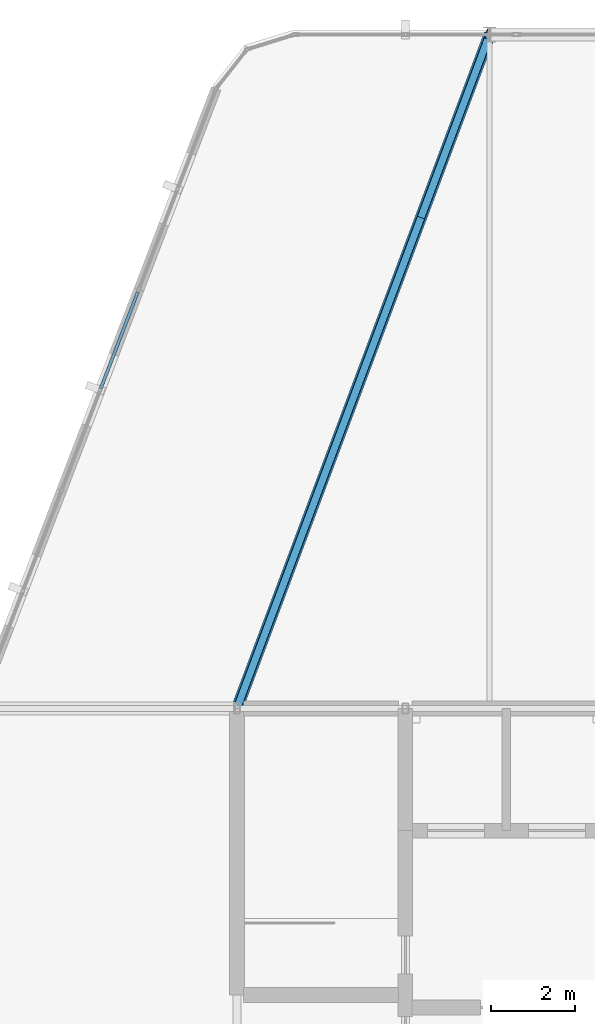
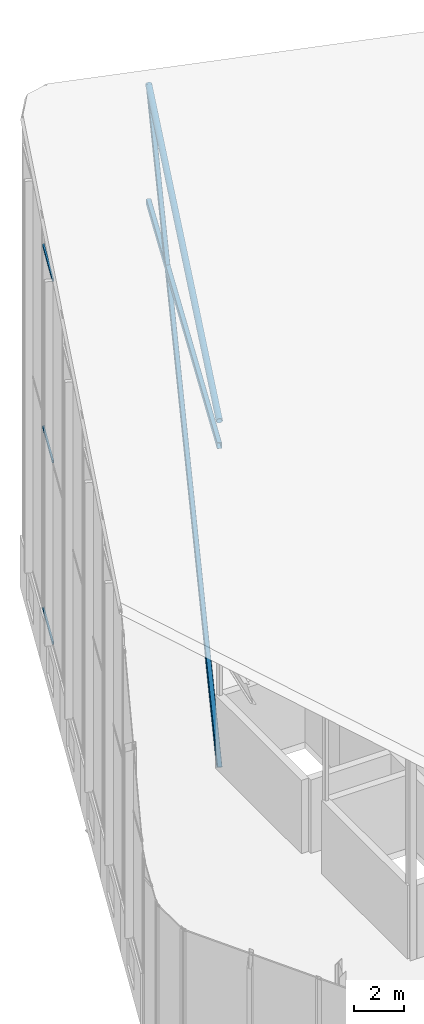
# One storey, part 30 of 74: 6 members, 1 element without a shape of its own.
"""IFC4 building model written with IfcOpenShell, lengths in metres."""

from ifc_helpers import new_model, si_unit, direction, frame, origin, origin_2d, place, context, subcontext, project, spatial, hollow_rectangle, hollow_circle, extrude, material, layer, layer_set, material_profile, profile_set, type_object, element, aggregate, save


model = new_model("IFC4")

# Units and contexts
model_context = context("Model", 3, precision=1e-05, world=origin(), true_north=direction((0.0, 1.0)))
body_context = subcontext(model_context, "Body", "Model", "MODEL_VIEW")
ifc_project = project(units=[si_unit("LENGTHUNIT", "METRE"), si_unit("AREAUNIT", "SQUARE_METRE"), si_unit("VOLUMEUNIT", "CUBIC_METRE"), si_unit("PLANEANGLEUNIT", "RADIAN"), si_unit("MASSUNIT", "GRAM", prefix="KILO")], contexts=[model_context])

# Site, building, storey
site_placement = place(None, origin())
site = spatial("IfcSite", under=ifc_project, at=site_placement, CompositionType="ELEMENT")
building_placement = place(site_placement, origin())
building = spatial("IfcBuilding", under=site, at=building_placement, Name="Keshet Zoharim Tower", CompositionType="ELEMENT")
storey_placement = place(building_placement, frame((0.0, 0.0, 320.0)))
storey = spatial("IfcBuildingStorey", under=building, at=storey_placement, Name="RF", CompositionType="ELEMENT", Elevation=320.0)

# Curtain wall, members
ifc_material_1 = material(Name="Aluminium 6063-T6", Category="aluminium")
ifc_layer = layer(ifc_material_1, 0.260009765625)
ifc_layer_set = layer_set([ifc_layer], Name="Aluminium 6063-T6")
curtain_wall_type = type_object("IfcCurtainWallType", Name="CW-SYS-06", PredefinedType="NOTDEFINED", material=ifc_layer_set)
curtain_wall_placement = place(storey_placement, origin())
curtain_wall = element("IfcCurtainWall", 1, at=curtain_wall_placement, inside=storey, type_object=curtain_wall_type, Name="Slanted Crown Curtain Wall 07", PredefinedType="NOTDEFINED")
ifc_material_profile_1 = material_profile(ifc_material_1, hollow_rectangle(XDim=0.074951171875, YDim=0.1201171875, WallThickness=0.00390625, at=origin_2d()), Name="TRN-75x120")
ifc_profile_set_1 = profile_set([ifc_material_profile_1], Name="Aluminium 6063-T6")
member_type_1 = type_object("IfcMemberType", Name="CWT-T12", PredefinedType="USERDEFINED", material=ifc_profile_set_1)
member_1_placement = place(storey_placement, frame((11.76611328125, 45.491943359375, 2.532470703125), z_axis=(0.359012353671, 0.933332807691, 0.0), x_axis=(-0.933332807691, 0.359012353671, 0.0)))
member_1 = element("IfcMember", 2, at=member_1_placement, type_object=member_type_1, Name="CW-06 transom 2.1", ObjectType="TRANSOM", PredefinedType="USERDEFINED", context=body_context, shape_type="SweptSolid", body=[
    extrude(hollow_rectangle(XDim=0.074951171875, YDim=0.1201171875, WallThickness=0.00390625, at=origin_2d()), origin(), (0.0, 0.0, 1.0), 2.458251953125),
])
member_2_placement = place(storey_placement, frame((11.76611328125, 45.491943359375, 11.31689453125), z_axis=(0.359012353671, 0.933332807691, 0.0), x_axis=(-0.933332807691, 0.359012353671, 0.0)))
member_2 = element("IfcMember", 3, at=member_2_placement, type_object=member_type_1, Name="CW-06 transom 2.2", ObjectType="TRANSOM", PredefinedType="USERDEFINED", context=body_context, shape_type="SweptSolid", body=[
    extrude(hollow_rectangle(XDim=0.074951171875, YDim=0.1201171875, WallThickness=0.00390625, at=origin_2d()), origin(), (0.0, 0.0, 1.0), 2.458251953125),
])
member_3_placement = place(storey_placement, frame((11.76611328125, 45.491943359375, 20.1015625), z_axis=(0.359012353671, 0.933332807691, 0.0), x_axis=(-0.933332807691, 0.359012353671, 0.0)))
member_3 = element("IfcMember", 4, at=member_3_placement, type_object=member_type_1, Name="CW-06 transom 2.3", ObjectType="TRANSOM", PredefinedType="USERDEFINED", context=body_context, shape_type="SweptSolid", body=[
    extrude(hollow_rectangle(XDim=0.074951171875, YDim=0.1201171875, WallThickness=0.00390625, at=origin_2d()), origin(), (0.0, 0.0, 1.0), 2.458251953125),
])
aggregate(curtain_wall, [member_1, member_2, member_3])

# Members
ifc_material_2 = material(Name="Steel S355", Category="steel")
ifc_material_profile_2 = material_profile(ifc_material_2, hollow_rectangle(XDim=0.199951171875, YDim=0.300048828125, WallThickness=0.012451171875, InnerFilletRadius=0.011962890625, OuterFilletRadius=0.01904296875, at=origin_2d()), Name="RHS300x200x12.5")
ifc_profile_set_2 = profile_set([ifc_material_profile_2], Name="Steel S355")
member_type_2 = type_object("IfcMemberType", Name="MB-COL-R300", PredefinedType="COLLAR", material=ifc_profile_set_2)
member_4_placement = place(storey_placement, frame((15.0, 37.89990234375, 15.565185546875), z_axis=(0.351123441588, 0.936329177569, 0.0), x_axis=(-0.936329177569, 0.351123441588, 0.0)))
element("IfcMember", 5, at=member_4_placement, inside=storey, type_object=member_type_2, Name="Crown Frame Collar Tie 01", PredefinedType="COLLAR", context=body_context, shape_type="SweptSolid", body=[
    extrude(hollow_rectangle(XDim=0.199951171875, YDim=0.300048828125, WallThickness=0.012451171875, InnerFilletRadius=0.011962890625, OuterFilletRadius=0.01904296875, at=origin_2d()), origin(), (0.0, 0.0, 1.0), 17.087890625),
])
ifc_material_profile_3 = material_profile(ifc_material_2, hollow_circle(Radius=0.136474609375, WallThickness=0.010009765625, at=origin_2d()), Name="CHS273x10")
ifc_profile_set_3 = profile_set([ifc_material_profile_3], Name="Steel S355")
member_type_3 = type_object("IfcMemberType", Name="MB-CRN-C273", PredefinedType="BRACE", material=ifc_profile_set_3)
member_5_placement = place(storey_placement, frame((15.0, 37.89990234375, 16.76513671875), z_axis=(0.339640126761, 0.905707004697, 0.253652135684), x_axis=(-0.936329177569, 0.351123441588, 0.0)))
element("IfcMember", 6, at=member_5_placement, inside=storey, type_object=member_type_3, Name="Crown Roof In-Plane Brace 01", PredefinedType="BRACE", context=body_context, shape_type="SweptSolid", body=[
    extrude(hollow_circle(Radius=0.136474609375, WallThickness=0.010009765625, at=origin_2d()), origin(), (0.0, 0.0, 1.0), 17.665771484375),
])
ifc_material_profile_4 = material_profile(ifc_material_2, hollow_rectangle(XDim=0.199951171875, YDim=0.300048828125, WallThickness=0.012451171875, InnerFilletRadius=0.011962890625, OuterFilletRadius=0.01904296875, at=origin_2d()), Name="RHS300x200x12.5")
ifc_profile_set_4 = profile_set([ifc_material_profile_4], Name="Steel S355")
member_type_4 = type_object("IfcMemberType", Name="MB-STR-R300", PredefinedType="STRUT", material=ifc_profile_set_4)
member_6_placement = place(storey_placement, frame((15.0, 37.89990234375, 0.0), z_axis=(0.220059942155, 0.586826512412, 0.779235693606), x_axis=(-0.936329177569, 0.351123441588, 0.0)))
element("IfcMember", 7, at=member_6_placement, inside=storey, type_object=member_type_4, Name="Crown Vertical Bracing Strut 01", PredefinedType="STRUT", context=body_context, shape_type="SweptSolid", body=[
    extrude(hollow_rectangle(XDim=0.199951171875, YDim=0.300048828125, WallThickness=0.012451171875, InnerFilletRadius=0.011962890625, OuterFilletRadius=0.01904296875, at=origin_2d()), origin(), (0.0, 0.0, 1.0), 27.265380859375),
])

save(model, "model.ifc")
